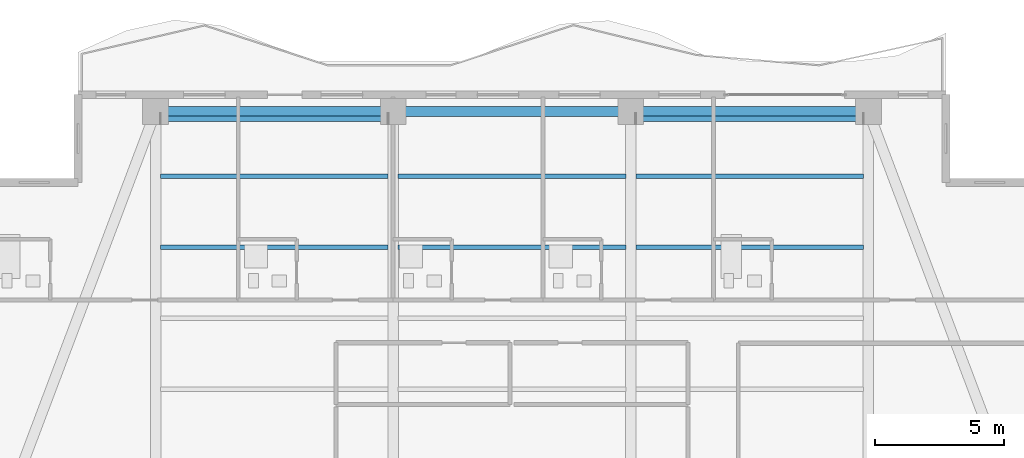
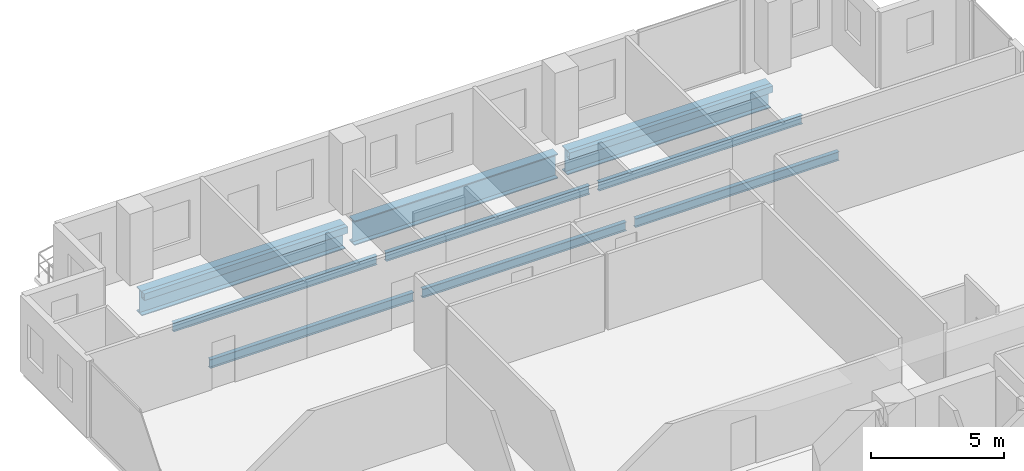
# One storey, part 14 of 28: 11 beams.
"""IFC4 building model written with IfcOpenShell, lengths in metres."""

from ifc_helpers import new_model, si_unit, direction, frame, origin, origin_2d, place, context, subcontext, project, spatial, hollow_rectangle, i_section, extrude, material, material_profile, profile_set, type_object, element, save


model = new_model("IFC4")

# Units and contexts
model_context = context("Model", 3, precision=1e-05, world=origin(), true_north=direction((0.0, 1.0)))
body_context = subcontext(model_context, "Body", "Model", "MODEL_VIEW")
ifc_project = project(units=[si_unit("LENGTHUNIT", "METRE"), si_unit("AREAUNIT", "SQUARE_METRE"), si_unit("VOLUMEUNIT", "CUBIC_METRE"), si_unit("PLANEANGLEUNIT", "RADIAN"), si_unit("MASSUNIT", "GRAM", prefix="KILO")], contexts=[model_context])

# Site, building, storey
site_placement = place(None, origin())
site = spatial("IfcSite", under=ifc_project, at=site_placement, CompositionType="ELEMENT")
building_placement = place(site_placement, origin())
building = spatial("IfcBuilding", under=site, at=building_placement, Name="Zuhayl Quay Hotel", CompositionType="ELEMENT")
storey_placement = place(building_placement, frame((0.0, 0.0, 239.64990234375)))
storey = spatial("IfcBuildingStorey", under=building, at=storey_placement, Name="L60", CompositionType="ELEMENT", Elevation=239.64990234375)

# Beams
ifc_material_1 = material(Name="Steel ASTM A992 Grade 50", Category="steel")
ifc_material_profile_1 = material_profile(ifc_material_1, i_section(OverallWidth=0.177978515625, OverallDepth=0.404052734375, WebThickness=0.007568359375, FlangeThickness=0.010986328125, at=origin_2d()), Name="W16X36")
ifc_profile_set_1 = profile_set([ifc_material_profile_1], Name="Steel ASTM A992 Grade 50")
beam_type_1 = type_object("IfcBeamType", Name="BM_J3_W16X36", PredefinedType="JOIST", material=ifc_profile_set_1)
for number, where, z_axis, x_axis, name in (
    (1, (-13.60595703125, 33.10009765625, -0.4619140625), (1.0, 0.0, 0.0), (0.0, 1.0, 0.0), "L60 Floor Beam FJ_L60_7_1"),
    (2, (-4.406005859375, 33.10009765625, -0.4619140625), (1.0, 0.0, 0.0), (0.0, 1.0, 0.0), "L60 Floor Beam FJ_L60_7_2"),
    (3, (4.7939453125, 33.10009765625, -0.4619140625), (1.0, 0.0, 0.0), (0.0, 1.0, 0.0), "L60 Floor Beam FJ_L60_7_3"),
    (4, (-13.60595703125, 35.85009765625, -0.4619140625), (1.0, 0.0, 0.0), (0.0, 1.0, 0.0), "L60 Floor Beam FJ_L60_8_1"),
    (5, (-4.406005859375, 35.85009765625, -0.4619140625), (1.0, 0.0, 0.0), (0.0, 1.0, 0.0), "L60 Floor Beam FJ_L60_8_2"),
    (6, (4.7939453125, 35.85009765625, -0.4619140625), (1.0, 0.0, 0.0), (0.0, 1.0, 0.0), "L60 Floor Beam FJ_L60_8_3"),
):
    element("IfcBeam", number, at=place(storey_placement, frame(where, z_axis=z_axis, x_axis=x_axis)), inside=storey, type_object=beam_type_1, Name=name, PredefinedType="JOIST", context=body_context, shape_type="SweptSolid", body=[
        extrude(i_section(OverallWidth=0.177978515625, OverallDepth=0.404052734375, WebThickness=0.007568359375, FlangeThickness=0.010986328125, at=origin_2d()), origin(), (0.0, 0.0, 1.0), 8.81201171875),
    ])
ifc_material_2 = material(Name="Steel ASTM A500 Grade C", Category="steel")
ifc_material_profile_2 = material_profile(ifc_material_2, hollow_rectangle(XDim=0.199951171875, YDim=0.300048828125, WallThickness=0.012451171875, at=origin_2d()), Name="HSS300X200X12")
ifc_profile_set_2 = profile_set([ifc_material_profile_2], Name="Steel ASTM A500 Grade C")
beam_type_2 = type_object("IfcBeamType", Name="BM_SP1_HSS300", PredefinedType="SPANDREL", material=ifc_profile_set_2)
for number, where, z_axis, x_axis, name in (
    (7, (-13.60009765625, 38.070068359375, -0.409912109375), (1.0, 0.0, 0.0), (0.0, 1.0, 0.0), "L60 Perimeter Spandrel Beam SP1-1"),
    (8, (4.800048828125, 38.070068359375, -0.409912109375), (1.0, 0.0, 0.0), (0.0, 1.0, 0.0), "L60 Perimeter Spandrel Beam SP1-2"),
):
    element("IfcBeam", number, at=place(storey_placement, frame(where, z_axis=z_axis, x_axis=x_axis)), inside=storey, type_object=beam_type_2, Name=name, PredefinedType="SPANDREL", context=body_context, shape_type="SweptSolid", body=[
        extrude(hollow_rectangle(XDim=0.199951171875, YDim=0.300048828125, WallThickness=0.012451171875, at=origin_2d()), origin(), (0.0, 0.0, 1.0), 8.800048828125),
    ])
ifc_material_3 = material(Name="Steel ASTM A913 Grade 65", Category="steel")
ifc_material_profile_3 = material_profile(ifc_material_3, i_section(OverallWidth=0.404052734375, OverallDepth=1.117919921875, WebThickness=0.026123046875, FlangeThickness=0.044921875, at=origin_2d()), Name="W44X335")
ifc_profile_set_3 = profile_set([ifc_material_profile_3], Name="Steel ASTM A913 Grade 65")
beam_type_3 = type_object("IfcBeamType", Name="BM_TG1_W44X335", PredefinedType="BEAM", material=ifc_profile_set_3)
beam_1_placement = place(storey_placement, frame((13.60009765625, 38.35009765625, -0.81884765625), z_axis=(-1.0, 0.0, 0.0), x_axis=(0.0, -1.0, 0.0)))
element("IfcBeam", 9, at=beam_1_placement, inside=storey, type_object=beam_type_3, Name="L60 Floor Beam RG_L60_07", PredefinedType="BEAM", context=body_context, shape_type="SweptSolid", body=[
    extrude(i_section(OverallWidth=0.404052734375, OverallDepth=1.117919921875, WebThickness=0.026123046875, FlangeThickness=0.044921875, at=origin_2d()), origin(), (0.0, 0.0, 1.0), 8.800048828125),
])
beam_2_placement = place(storey_placement, frame((4.39990234375, 38.35009765625, -0.81884765625), z_axis=(-1.0, 0.0, 0.0), x_axis=(0.0, -1.0, 0.0)))
element("IfcBeam", 10, at=beam_2_placement, inside=storey, type_object=beam_type_3, Name="L60 Floor Beam RG_L60_08", PredefinedType="BEAM", context=body_context, shape_type="SweptSolid", body=[
    extrude(i_section(OverallWidth=0.404052734375, OverallDepth=1.117919921875, WebThickness=0.026123046875, FlangeThickness=0.044921875, at=origin_2d()), origin(), (0.0, 0.0, 1.0), 8.7998046875),
])
beam_3_placement = place(storey_placement, frame((-4.800048828125, 38.35009765625, -0.81884765625), z_axis=(-1.0, 0.0, 0.0), x_axis=(0.0, -1.0, 0.0)))
element("IfcBeam", 11, at=beam_3_placement, inside=storey, type_object=beam_type_3, Name="L60 Floor Beam RG_L60_09", PredefinedType="BEAM", context=body_context, shape_type="SweptSolid", body=[
    extrude(i_section(OverallWidth=0.404052734375, OverallDepth=1.117919921875, WebThickness=0.026123046875, FlangeThickness=0.044921875, at=origin_2d()), origin(), (0.0, 0.0, 1.0), 8.800048828125),
])

save(model, "model.ifc")
